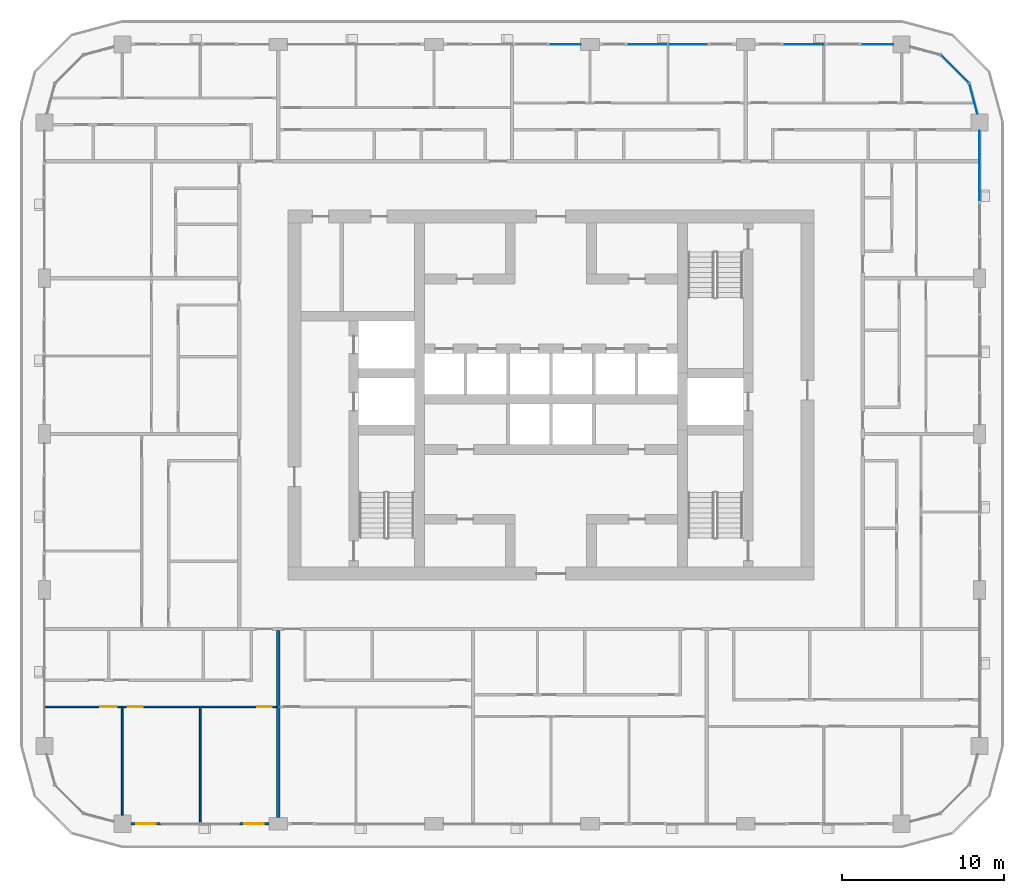
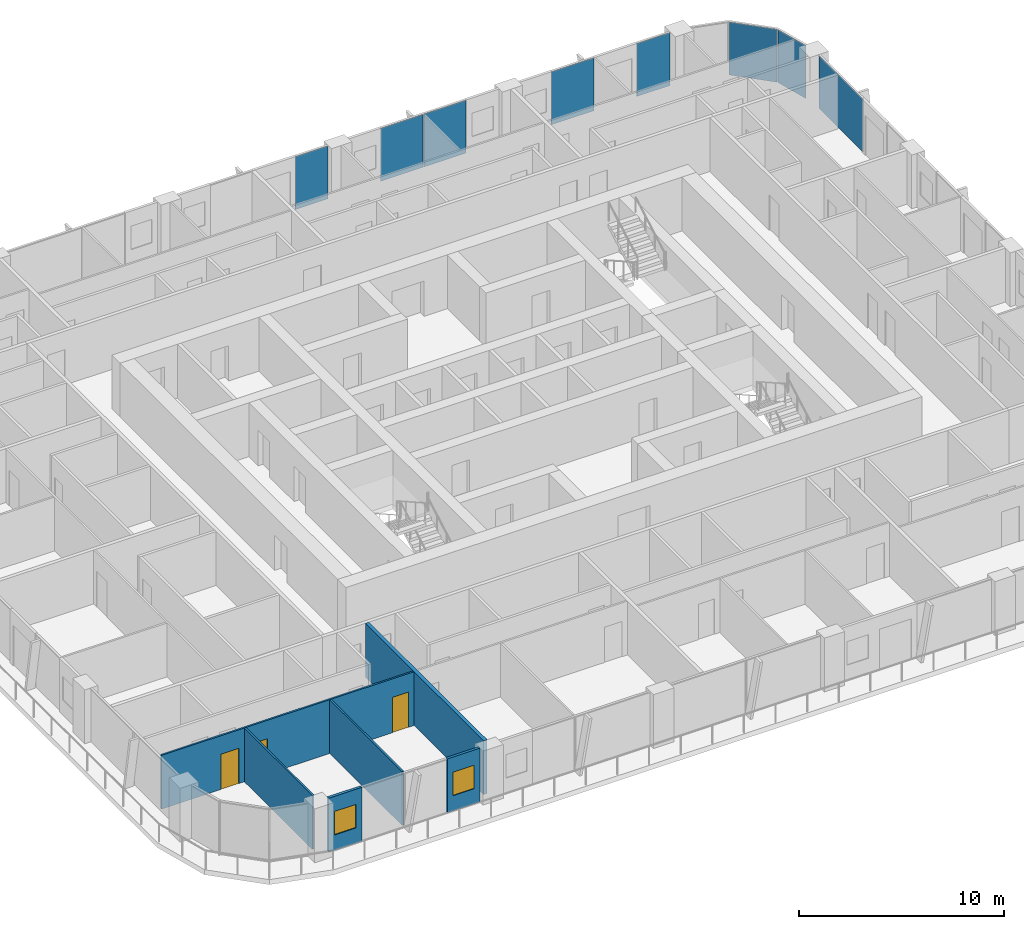
# One storey, part 8 of 22: 8 plates, 6 walls, 3 doors, 2 windows, 5 openings, 5 elements without a shape of their own.
"""IFC4 building model written with IfcOpenShell, lengths in metres."""

from ifc_helpers import new_model, si_unit, direction, frame, frame_2d, origin, origin_2d, place, context, subcontext, project, spatial, rectangle, extrude, material, layer, layer_set, type_object, element, fill, aggregate, save


model = new_model("IFC4")

# Units and contexts
model_context = context("Model", 3, precision=1e-05, world=origin(), true_north=direction((0.0, 1.0)))
body_context = subcontext(model_context, "Body", "Model", "MODEL_VIEW")
ifc_project = project(units=[si_unit("LENGTHUNIT", "METRE"), si_unit("AREAUNIT", "SQUARE_METRE"), si_unit("VOLUMEUNIT", "CUBIC_METRE"), si_unit("PLANEANGLEUNIT", "RADIAN"), si_unit("MASSUNIT", "GRAM", prefix="KILO")], contexts=[model_context])

# Site, building, storey
site_placement = place(None, origin())
site = spatial("IfcSite", under=ifc_project, at=site_placement, CompositionType="ELEMENT")
building_placement = place(site_placement, origin())
building = spatial("IfcBuilding", under=site, at=building_placement, Name="Madar Terraces", CompositionType="ELEMENT")
storey_placement = place(building_placement, frame((0.0, 0.0, 152.5)))
storey = spatial("IfcBuildingStorey", under=building, at=storey_placement, Name="L39", CompositionType="ELEMENT", Elevation=152.5)

# Curtain wall, plate
ifc_material_1 = material(Name="Glass, ceramic frit dark grey, with black aluminium frame", Category="aluminium")
ifc_layer_1 = layer(ifc_material_1, 0.199951171875)
ifc_layer_set_1 = layer_set([ifc_layer_1], Name="Facade curtain wall, fritted glass")
curtain_wall_type = type_object("IfcCurtainWallType", Name="Facade curtain wall, fritted glass", PredefinedType="NOTDEFINED", material=ifc_layer_set_1)
curtain_wall_1_placement = place(storey_placement, origin())
curtain_wall_1 = element("IfcCurtainWall", 1, at=curtain_wall_1_placement, inside=storey, type_object=curtain_wall_type, Name="Outer skin curtain wall east bay 4", PredefinedType="NOTDEFINED")
ifc_material_2 = material(Name="Glass, ceramic frit dark grey", Category="glass")
ifc_layer_2 = layer(ifc_material_2, 0.028076171875)
ifc_layer_set_2 = layer_set([ifc_layer_2], Name="Facade glass panel 28")
plate_type = type_object("IfcPlateType", Name="Facade glass panel 28", PredefinedType="CURTAIN_PANEL", material=ifc_layer_set_2)
plate_1_placement = place(storey_placement, frame((57.60009765625, 40.53759765625, 0.0), z_axis=(0.0, 0.0, 1.0), x_axis=(0.0, 1.0, 0.0)))
plate_1 = element("IfcPlate", 2, at=plate_1_placement, type_object=plate_type, Name="Panel 2", PredefinedType="CURTAIN_PANEL", context=body_context, shape_type="SweptSolid", body=[
    extrude(rectangle(XDim=4.27490234375, YDim=0.028076171875, at=origin_2d()), origin(), (0.0, 0.0, 1.0), 3.139892578125),
])
aggregate(curtain_wall_1, [plate_1])

# Curtain wall, plates
curtain_wall_2_placement = place(storey_placement, origin())
curtain_wall_2 = element("IfcCurtainWall", 3, at=curtain_wall_2_placement, inside=storey, type_object=curtain_wall_type, Name="Outer skin curtain wall north bay 1", PredefinedType="NOTDEFINED")
plate_2_placement = place(storey_placement, frame((51.33740234375, 48.0, 0.0), z_axis=(0.0, 0.0, 1.0), x_axis=(-1.0, 0.0, 0.0)))
plate_2 = element("IfcPlate", 4, at=plate_2_placement, type_object=plate_type, Name="Panel 1", PredefinedType="CURTAIN_PANEL", context=body_context, shape_type="SweptSolid", body=[
    extrude(rectangle(XDim=1.875, YDim=0.028076171875, at=origin_2d()), origin(), (0.0, 0.0, 1.0), 3.139892578125),
])
plate_3_placement = place(storey_placement, frame((46.800048828125, 48.0, 0.0), z_axis=(0.0, 0.0, 1.0), x_axis=(-1.0, 0.0, 0.0)))
plate_3 = element("IfcPlate", 5, at=plate_3_placement, type_object=plate_type, Name="Panel 2", PredefinedType="CURTAIN_PANEL", context=body_context, shape_type="SweptSolid", body=[
    extrude(rectangle(XDim=2.39990234375, YDim=0.028076171875, at=origin_2d()), origin(), (0.0, 0.0, 1.0), 3.139892578125),
])
aggregate(curtain_wall_2, [plate_2, plate_3])

curtain_wall_3_placement = place(storey_placement, origin())
curtain_wall_3 = element("IfcCurtainWall", 6, at=curtain_wall_3_placement, inside=storey, type_object=curtain_wall_type, Name="Outer skin curtain wall north bay 2", PredefinedType="NOTDEFINED")
plate_4_placement = place(storey_placement, frame((39.614990234375, 48.0, 0.0), z_axis=(0.0, 0.0, 1.0), x_axis=(-1.0, 0.0, 0.0)))
plate_4 = element("IfcPlate", 7, at=plate_4_placement, type_object=plate_type, Name="Panel 1", PredefinedType="CURTAIN_PANEL", context=body_context, shape_type="SweptSolid", body=[
    extrude(rectangle(XDim=2.3701171875, YDim=0.028076171875, at=origin_2d()), origin(), (0.0, 0.0, 1.0), 3.139892578125),
])
plate_5_placement = place(storey_placement, frame((37.18505859375, 48.0, 0.0), z_axis=(0.0, 0.0, 1.0), x_axis=(-1.0, 0.0, 0.0)))
plate_5 = element("IfcPlate", 8, at=plate_5_placement, type_object=plate_type, Name="Panel 2", PredefinedType="CURTAIN_PANEL", context=body_context, shape_type="SweptSolid", body=[
    extrude(rectangle(XDim=2.3701171875, YDim=0.028076171875, at=origin_2d()), origin(), (0.0, 0.0, 1.0), 3.139892578125),
])
aggregate(curtain_wall_3, [plate_4, plate_5])

# Curtain wall, plate
curtain_wall_4_placement = place(storey_placement, origin())
curtain_wall_4 = element("IfcCurtainWall", 9, at=curtain_wall_4_placement, inside=storey, type_object=curtain_wall_type, Name="Outer skin curtain wall north bay 3", PredefinedType="NOTDEFINED")
plate_6_placement = place(storey_placement, frame((32.112548828125, 48.0, 0.0), z_axis=(0.0, 0.0, 1.0), x_axis=(-1.0, 0.0, 0.0)))
plate_6 = element("IfcPlate", 10, at=plate_6_placement, type_object=plate_type, Name="Panel 1", PredefinedType="CURTAIN_PANEL", context=body_context, shape_type="SweptSolid", body=[
    extrude(rectangle(XDim=1.824951171875, YDim=0.028076171875, at=origin_2d()), origin(), (0.0, 0.0, 1.0), 3.139892578125),
])
aggregate(curtain_wall_4, [plate_6])

# Curtain wall, plates
curtain_wall_5_placement = place(storey_placement, origin())
curtain_wall_5 = element("IfcCurtainWall", 11, at=curtain_wall_5_placement, inside=storey, type_object=curtain_wall_type, Name="Outer skin curtain wall north-east corner", PredefinedType="NOTDEFINED")
plate_7_placement = place(storey_placement, frame((57.2119140625, 44.64794921875, 0.0), z_axis=(0.0, 0.0, 1.0), x_axis=(-0.258819021888, 0.965925832509, 0.0)))
plate_7 = element("IfcPlate", 12, at=plate_7_placement, type_object=plate_type, Name="Panel 1", PredefinedType="CURTAIN_PANEL", context=body_context, shape_type="SweptSolid", body=[
    extrude(rectangle(XDim=1.9111328125, YDim=0.028076171875, at=origin_2d()), origin(), (0.0, 0.0, 1.0), 3.139892578125),
])
plate_8_placement = place(storey_placement, frame((56.078369140625, 46.478515625, 0.0), z_axis=(0.0, 0.0, 1.0), x_axis=(-0.707106781187, 0.707106781187, 0.0)))
plate_8 = element("IfcPlate", 13, at=plate_8_placement, type_object=plate_type, Name="Panel 2", PredefinedType="CURTAIN_PANEL", context=body_context, shape_type="SweptSolid", body=[
    extrude(rectangle(XDim=2.424560546875, YDim=0.028076171875, at=origin_2d()), origin(), (0.0, 0.0, 1.0), 3.139892578125),
])
aggregate(curtain_wall_5, [plate_7, plate_8])

# Wall, opening, window
ifc_material_3 = material(Name="Aluminium composite panel, black, over insulated backing", Category="aluminium")
ifc_layer_3 = layer(ifc_material_3, 0.14990234375)
ifc_layer_set_3 = layer_set([ifc_layer_3], Name="Facade bay panel 150")
wall_type_1 = type_object("IfcWallType", Name="Facade bay panel 150", PredefinedType="SOLIDWALL", material=ifc_layer_set_3)
wall_1_placement = place(storey_placement, frame((5.324951171875, 0.0, 0.0), z_axis=(0.0, 0.0, 1.0), x_axis=(1.0, 0.0, 0.0)))
wall_1 = element("IfcWall", 14, at=wall_1_placement, inside=storey, type_object=wall_type_1, Name="Facade bay panel", PredefinedType="SOLIDWALL", context=body_context, shape_type="SweptSolid", body=[
    extrude(rectangle(XDim=1.875, YDim=0.14990234375, at=frame_2d((0.9375, 0.0))), origin(), (0.0, 0.0, 1.0), 3.199951171875),
])
opening_1_placement = place(wall_1_placement, frame((0.33740234375, 0.0, 0.89990234375)))
opening_1 = element("IfcOpeningElement", 15, at=opening_1_placement, cuts=wall_1, Name="Opening W1", PredefinedType="OPENING", context=body_context, shape_type="SweptSolid", body=[
    extrude(rectangle(XDim=1.199951171875, YDim=1.39990234375, at=frame_2d((0.60009765625, 0.699951171875))), frame((0.0, 0.0849609375, 0.0), z_axis=(0.0, -1.0, 0.0), x_axis=(1.0, 0.0, 0.0)), (0.0, 0.0, 1.0), 0.169921875),
])
ifc_material_4 = material(Name="Glass, clear, with black aluminium frame", Category="aluminium")
window_type = type_object("IfcWindowType", Name="Vent window 1200 x 1400", PartitioningType="SINGLE_PANEL", PredefinedType="WINDOW", material=ifc_material_4)
window_1_placement = place(opening_1_placement, origin())
window_1 = element("IfcWindow", 16, at=window_1_placement, inside=storey, type_object=window_type, Name="Operable vent window", OverallHeight=1.39990234375, OverallWidth=1.199951171875, PartitioningType="SINGLE_PANEL", PredefinedType="WINDOW", context=body_context, shape_type="SweptSolid", body=[
    extrude(rectangle(XDim=1.199951171875, YDim=1.39990234375, at=frame_2d((0.60009765625, 0.699951171875))), frame((0.0, 0.030029296875, 0.0), z_axis=(0.0, -1.0, 0.0), x_axis=(1.0, 0.0, 0.0)), (0.0, 0.0, 1.0), 0.06005859375),
])
fill(opening_1, window_1)

wall_2_placement = place(storey_placement, frame((12.0, 0.0, 0.0), z_axis=(0.0, 0.0, 1.0), x_axis=(1.0, 0.0, 0.0)))
wall_2 = element("IfcWall", 17, at=wall_2_placement, inside=storey, type_object=wall_type_1, Name="Facade bay panel", PredefinedType="SOLIDWALL", context=body_context, shape_type="SweptSolid", body=[
    extrude(rectangle(XDim=1.824951171875, YDim=0.14990234375, at=frame_2d((0.91259765625, 0.0))), origin(), (0.0, 0.0, 1.0), 3.199951171875),
])
opening_2_placement = place(wall_2_placement, frame((0.3125, 0.0, 0.89990234375)))
opening_2 = element("IfcOpeningElement", 18, at=opening_2_placement, cuts=wall_2, Name="Opening W1", PredefinedType="OPENING", context=body_context, shape_type="SweptSolid", body=[
    extrude(rectangle(XDim=1.199951171875, YDim=1.39990234375, at=frame_2d((0.60009765625, 0.699951171875))), frame((0.0, 0.0849609375, 0.0), z_axis=(0.0, -1.0, 0.0), x_axis=(1.0, 0.0, 0.0)), (0.0, 0.0, 1.0), 0.169921875),
])
window_2_placement = place(opening_2_placement, origin())
window_2 = element("IfcWindow", 19, at=window_2_placement, inside=storey, type_object=window_type, Name="Operable vent window", OverallHeight=1.39990234375, OverallWidth=1.199951171875, PartitioningType="SINGLE_PANEL", PredefinedType="WINDOW", context=body_context, shape_type="SweptSolid", body=[
    extrude(rectangle(XDim=1.199951171875, YDim=1.39990234375, at=frame_2d((0.60009765625, 0.699951171875))), frame((0.0, 0.030029296875, 0.0), z_axis=(0.0, -1.0, 0.0), x_axis=(1.0, 0.0, 0.0)), (0.0, 0.0, 1.0), 0.06005859375),
])
fill(opening_2, window_2)

# Walls
ifc_material_5 = material(Name="Gypsum board on steel studs", Category="steel")
ifc_layer_4 = layer(ifc_material_5, 0.10009765625)
ifc_layer_set_4 = layer_set([ifc_layer_4], Name="Flat partition 100")
wall_type_2 = type_object("IfcWallType", Name="Flat partition 100", PredefinedType="PARTITIONING", material=ifc_layer_set_4)
wall_3_placement = place(storey_placement, frame((9.60009765625, 7.14990234375, 0.0), z_axis=(0.0, 0.0, 1.0), x_axis=(0.0, -1.0, 0.0)))
element("IfcWall", 20, at=wall_3_placement, inside=storey, type_object=wall_type_2, Name="Flat partition 100", PredefinedType="PARTITIONING", context=body_context, shape_type="SweptSolid", body=[
    extrude(rectangle(XDim=7.0498046875, YDim=0.10009765625, at=frame_2d((3.52490234375, 0.0))), origin(), (0.0, 0.0, 1.0), 3.199951171875),
])
wall_4_placement = place(storey_placement, frame((4.800048828125, 7.14990234375, 0.0), z_axis=(0.0, 0.0, 1.0), x_axis=(0.0, -1.0, 0.0)))
element("IfcWall", 21, at=wall_4_placement, inside=storey, type_object=wall_type_2, Name="Flat partition 100", PredefinedType="PARTITIONING", context=body_context, shape_type="SweptSolid", body=[
    extrude(rectangle(XDim=6.625, YDim=0.10009765625, at=frame_2d((3.3125, 0.0))), origin(), (0.0, 0.0, 1.0), 3.199951171875),
])

# Wall, openings, doors
wall_5_placement = place(storey_placement, frame((14.300048828125, 7.199951171875, 0.0), z_axis=(0.0, 0.0, 1.0), x_axis=(-1.0, 0.0, 0.0)))
wall_5 = element("IfcWall", 22, at=wall_5_placement, inside=storey, type_object=wall_type_2, Name="Flat partition 100", PredefinedType="PARTITIONING", context=body_context, shape_type="SweptSolid", body=[
    extrude(rectangle(XDim=14.199951171875, YDim=0.10009765625, at=frame_2d((7.10009765625, 0.0))), origin(), (0.0, 0.0, 1.0), 3.199951171875),
])
opening_3_placement = place(wall_5_placement, frame((0.300048828125, 0.0, 0.0)))
opening_3 = element("IfcOpeningElement", 23, at=opening_3_placement, cuts=wall_5, Name="Opening D2", PredefinedType="OPENING", context=body_context, shape_type="SweptSolid", body=[
    extrude(rectangle(XDim=0.89990234375, YDim=2.10009765625, at=frame_2d((0.449951171875, 1.050048828125))), frame((0.0, 0.06005859375, 0.0), z_axis=(0.0, -1.0, 0.0), x_axis=(1.0, 0.0, 0.0)), (0.0, 0.0, 1.0), 0.1201171875),
])
opening_4_placement = place(wall_5_placement, frame((8.25, 0.0, 0.0)))
opening_4 = element("IfcOpeningElement", 24, at=opening_4_placement, cuts=wall_5, Name="Opening D2", PredefinedType="OPENING", context=body_context, shape_type="SweptSolid", body=[
    extrude(rectangle(XDim=0.89990234375, YDim=2.10009765625, at=frame_2d((0.449951171875, 1.050048828125))), frame((0.0, 0.06005859375, 0.0), z_axis=(0.0, -1.0, 0.0), x_axis=(1.0, 0.0, 0.0)), (0.0, 0.0, 1.0), 0.1201171875),
])
opening_5_placement = place(wall_5_placement, frame((9.85009765625, 0.0, 0.0)))
opening_5 = element("IfcOpeningElement", 25, at=opening_5_placement, cuts=wall_5, Name="Opening D3", PredefinedType="OPENING", context=body_context, shape_type="SweptSolid", body=[
    extrude(rectangle(XDim=1.0, YDim=2.10009765625, at=frame_2d((0.5, 1.050048828125))), frame((0.0, 0.06005859375, 0.0), z_axis=(0.0, -1.0, 0.0), x_axis=(1.0, 0.0, 0.0)), (0.0, 0.0, 1.0), 0.1201171875),
])
ifc_material_6 = material(Name="Timber door leaf", Category="wood")
door_type_1 = type_object("IfcDoorType", Name="Flat living room door 1000", OperationType="NOTDEFINED", PredefinedType="DOOR", material=ifc_material_6)
door_1_placement = place(opening_5_placement, origin())
door_1 = element("IfcDoor", 26, at=door_1_placement, inside=storey, type_object=door_type_1, Name="Flat living room door 1000", OperationType="SINGLE_SWING_LEFT", OverallHeight=2.10009765625, OverallWidth=1.0, PredefinedType="DOOR", context=body_context, shape_type="SweptSolid", body=[
    extrude(rectangle(XDim=1.0, YDim=2.10009765625, at=frame_2d((0.5, 1.050048828125))), frame((0.0, 0.02490234375, 0.0), z_axis=(0.0, -1.0, 0.0), x_axis=(1.0, 0.0, 0.0)), (0.0, 0.0, 1.0), 0.050048828125),
])
fill(opening_5, door_1)
ifc_material_7 = material(Name="Timber door leaf", Category="wood")
door_type_2 = type_object("IfcDoorType", Name="Flat room door 900", OperationType="NOTDEFINED", PredefinedType="DOOR", material=ifc_material_7)
door_2_placement = place(opening_3_placement, origin())
door_2 = element("IfcDoor", 27, at=door_2_placement, inside=storey, type_object=door_type_2, Name="Flat room door 900", OperationType="SINGLE_SWING_LEFT", OverallHeight=2.10009765625, OverallWidth=0.89990234375, PredefinedType="DOOR", context=body_context, shape_type="SweptSolid", body=[
    extrude(rectangle(XDim=0.89990234375, YDim=2.10009765625, at=frame_2d((0.449951171875, 1.050048828125))), frame((0.0, 0.02490234375, 0.0), z_axis=(0.0, -1.0, 0.0), x_axis=(1.0, 0.0, 0.0)), (0.0, 0.0, 1.0), 0.050048828125),
])
fill(opening_3, door_2)
door_3_placement = place(opening_4_placement, origin())
door_3 = element("IfcDoor", 28, at=door_3_placement, inside=storey, type_object=door_type_2, Name="Flat room door 900", OperationType="SINGLE_SWING_RIGHT", OverallHeight=2.10009765625, OverallWidth=0.89990234375, PredefinedType="DOOR", context=body_context, shape_type="SweptSolid", body=[
    extrude(rectangle(XDim=0.89990234375, YDim=2.10009765625, at=frame_2d((0.449951171875, 1.050048828125))), frame((0.0, 0.02490234375, 0.0), z_axis=(0.0, -1.0, 0.0), x_axis=(1.0, 0.0, 0.0)), (0.0, 0.0, 1.0), 0.050048828125),
])
fill(opening_4, door_3)

# Wall
ifc_material_8 = material(Name="Lightweight blockwork", Category="masonry")
ifc_layer_5 = layer(ifc_material_8, 0.199951171875)
ifc_layer_set_5 = layer_set([ifc_layer_5], Name="Flat party and entrance wall 200")
wall_type_3 = type_object("IfcWallType", Name="Flat party and entrance wall 200", PredefinedType="PARTITIONING", material=ifc_layer_set_5)
wall_6_placement = place(storey_placement, frame((14.39990234375, 11.89990234375, 0.0), z_axis=(0.0, 0.0, 1.0), x_axis=(0.0, -1.0, 0.0)))
element("IfcWall", 29, at=wall_6_placement, inside=storey, type_object=wall_type_3, Name="Flat party and entrance wall 200", PredefinedType="PARTITIONING", context=body_context, shape_type="SweptSolid", body=[
    extrude(rectangle(XDim=11.52490234375, YDim=0.199951171875, at=frame_2d((5.762451171875, 0.0))), origin(), (0.0, 0.0, 1.0), 3.199951171875),
])

save(model, "model.ifc")
